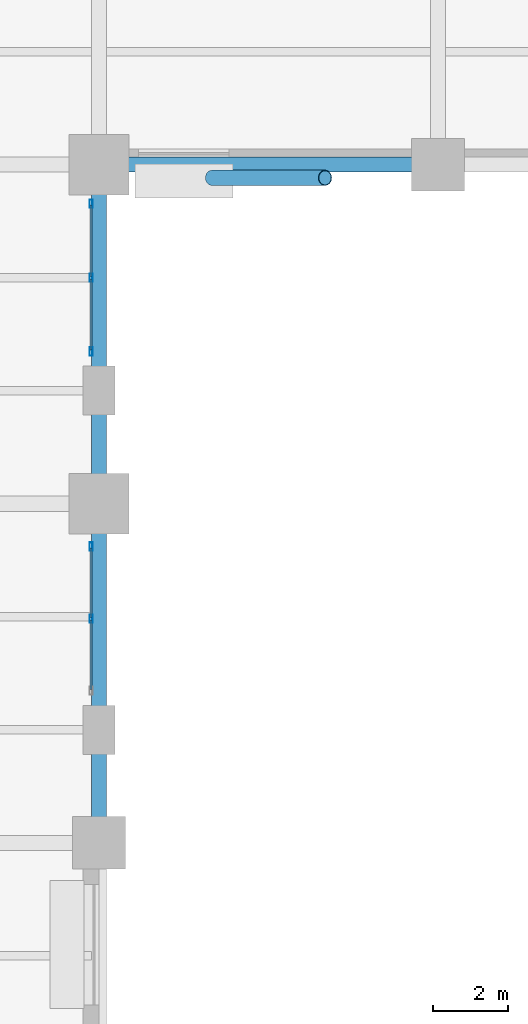
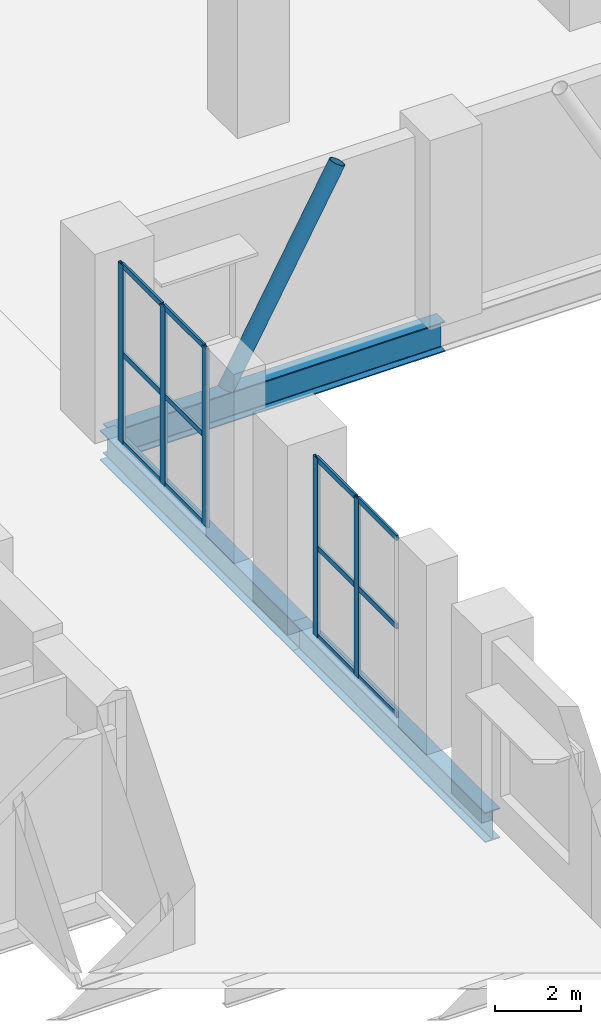
# One storey, part 8 of 20: 18 members, 3 beams, 2 elements without a shape of their own.
"""IFC4 building model written with IfcOpenShell, lengths in metres."""

from ifc_helpers import new_model, si_unit, direction, frame, origin, origin_2d, place, context, subcontext, project, spatial, hollow_rectangle, hollow_circle, i_section, extrude, material, layer, layer_set, material_profile, profile_set, type_object, element, aggregate, save


model = new_model("IFC4")

# Units and contexts
model_context = context("Model", 3, precision=1e-05, world=origin(), true_north=direction((0.0, 1.0)))
body_context = subcontext(model_context, "Body", "Model", "MODEL_VIEW")
ifc_project = project(units=[si_unit("LENGTHUNIT", "METRE"), si_unit("AREAUNIT", "SQUARE_METRE"), si_unit("VOLUMEUNIT", "CUBIC_METRE"), si_unit("PLANEANGLEUNIT", "RADIAN"), si_unit("MASSUNIT", "GRAM", prefix="KILO")], contexts=[model_context])

# Site, building, storey
site_placement = place(None, origin())
site = spatial("IfcSite", under=ifc_project, at=site_placement, CompositionType="ELEMENT")
building_placement = place(site_placement, origin())
building = spatial("IfcBuilding", under=site, at=building_placement, Name="Mawjdan Bourse Tower", CompositionType="ELEMENT")
storey_placement = place(building_placement, frame((0.0, 0.0, 5.39990234375)))
storey = spatial("IfcBuildingStorey", under=building, at=storey_placement, Name="L01", CompositionType="ELEMENT", Elevation=5.39990234375)

# Member
ifc_material_1 = material(Name="Structural Steel S460", Category="steel")
ifc_material_profile_1 = material_profile(ifc_material_1, hollow_circle(Radius=0.203125, WallThickness=0.01611328125, at=origin_2d()), Name="CHS406X16")
ifc_profile_set_1 = profile_set([ifc_material_profile_1], Name="Structural Steel S460")
member_type_1 = type_object("IfcMemberType", Name="ARC-CHS406X16", PredefinedType="USERDEFINED", material=ifc_profile_set_1)
member_1_placement = place(storey_placement, frame((36.0, 29.64990234375, 0.0), z_axis=(0.485632864501, 0.0, 0.874162868644), x_axis=(0.0, 1.0, 0.0)))
element("IfcMember", 1, at=member_1_placement, inside=storey, type_object=member_type_1, Name="L01 Giant Arch Structural Rib NORTH 3", ObjectType="ARCH RIB", PredefinedType="USERDEFINED", context=body_context, shape_type="SweptSolid", body=[
    extrude(hollow_circle(Radius=0.203125, WallThickness=0.01611328125, at=origin_2d()), origin(), (0.0, 0.0, 1.0), 6.177490234375),
])

# Beams
ifc_material_2 = material(Name="Structural Steel S355", Category="steel")
ifc_material_profile_2 = material_profile(ifc_material_2, i_section(OverallWidth=0.39892578125, OverallDepth=0.85595703125, WebThickness=0.018310546875, FlangeThickness=0.029296875, FilletRadius=0.0234375, at=origin_2d()), Name="W33X201")
ifc_profile_set_2 = profile_set([ifc_material_profile_2], Name="Structural Steel S355")
beam_type = type_object("IfcBeamType", Name="GRD-W33X201", PredefinedType="BEAM", material=ifc_profile_set_2)
for number, where, z_axis, x_axis, name in (
    (2, (33.0, 12.0, -0.727783203125), (0.0, 1.0, 0.0), (-1.0, 0.0, 0.0), "L01 Podium Primary Girder 020"),
    (3, (33.0, 21.0, -0.727783203125), (0.0, 1.0, 0.0), (-1.0, 0.0, 0.0), "L01 Podium Primary Girder 021"),
    (4, (33.0, 30.0, -0.727783203125), (1.0, 0.0, 0.0), (0.0, 1.0, 0.0), "L01 Podium Tie Girder 057"),
):
    element("IfcBeam", number, at=place(storey_placement, frame(where, z_axis=z_axis, x_axis=x_axis)), inside=storey, type_object=beam_type, Name=name, PredefinedType="BEAM", context=body_context, shape_type="SweptSolid", body=[
        extrude(i_section(OverallWidth=0.39892578125, OverallDepth=0.85595703125, WebThickness=0.018310546875, FlangeThickness=0.029296875, FilletRadius=0.0234375, at=origin_2d()), origin(), (0.0, 0.0, 1.0), 9.0),
    ])

# Curtain wall, members
ifc_material_3 = material(Name="Thermally Broken Aluminium and Solar Glass", Category="aluminium")
ifc_layer = layer(ifc_material_3, 0.219970703125)
ifc_layer_set = layer_set([ifc_layer], Name="Thermally Broken Aluminium and Solar Glass")
curtain_wall_type = type_object("IfcCurtainWallType", Name="CW-ARCH", PredefinedType="USERDEFINED", material=ifc_layer_set)
curtain_wall_1_placement = place(storey_placement, origin())
curtain_wall_1 = element("IfcCurtainWall", 5, at=curtain_wall_1_placement, inside=storey, type_object=curtain_wall_type, Name="L01 Giant Arch West Glazed Wall South", ObjectType="ARCHWAY GLAZED CURTAIN WALL", PredefinedType="USERDEFINED")
ifc_material_4 = material(Name="Thermally Broken Anodised Aluminium", Category="aluminium")
ifc_material_profile_3 = material_profile(ifc_material_4, hollow_rectangle(XDim=0.074951171875, YDim=0.219970703125, WallThickness=0.0048828125, at=origin_2d()), Name="ALU-MUL-220X75")
ifc_profile_set_3 = profile_set([ifc_material_profile_3], Name="Thermally Broken Anodised Aluminium")
member_type_2 = type_object("IfcMemberType", Name="MUL-ALU-MUL-220X75", PredefinedType="MULLION", material=ifc_profile_set_3)
member_2_placement = place(storey_placement, frame((32.7900390625, 19.862548828125, 0.0), z_axis=(0.0, 0.0, 1.0), x_axis=(1.0, 0.0, 0.0)))
member_2 = element("IfcMember", 6, at=member_2_placement, type_object=member_type_2, Name="CW-ARCH-L01-ARCH-W1 mullion 1", PredefinedType="MULLION", context=body_context, shape_type="SweptSolid", body=[
    extrude(hollow_rectangle(XDim=0.074951171875, YDim=0.219970703125, WallThickness=0.0048828125, at=origin_2d()), origin(), (0.0, 0.0, 1.0), 5.10009765625),
])
member_3_placement = place(storey_placement, frame((32.7900390625, 17.949951171875, 0.0), z_axis=(0.0, 0.0, 1.0), x_axis=(1.0, 0.0, 0.0)))
member_3 = element("IfcMember", 7, at=member_3_placement, type_object=member_type_2, Name="CW-ARCH-L01-ARCH-W1 mullion 2", PredefinedType="MULLION", context=body_context, shape_type="SweptSolid", body=[
    extrude(hollow_rectangle(XDim=0.074951171875, YDim=0.219970703125, WallThickness=0.0048828125, at=origin_2d()), origin(), (0.0, 0.0, 1.0), 5.10009765625),
])

curtain_wall_2_placement = place(storey_placement, origin())
curtain_wall_2 = element("IfcCurtainWall", 8, at=curtain_wall_2_placement, inside=storey, type_object=curtain_wall_type, Name="L01 Giant Arch West Glazed Wall North", ObjectType="ARCHWAY GLAZED CURTAIN WALL", PredefinedType="USERDEFINED")
member_4_placement = place(storey_placement, frame((32.7900390625, 28.96240234375, 0.0), z_axis=(0.0, 0.0, 1.0), x_axis=(1.0, 0.0, 0.0)))
member_4 = element("IfcMember", 9, at=member_4_placement, type_object=member_type_2, Name="CW-ARCH-L01-ARCH-W2 mullion 1", PredefinedType="MULLION", context=body_context, shape_type="SweptSolid", body=[
    extrude(hollow_rectangle(XDim=0.074951171875, YDim=0.219970703125, WallThickness=0.0048828125, at=origin_2d()), origin(), (0.0, 0.0, 1.0), 5.10009765625),
])
member_5_placement = place(storey_placement, frame((32.7900390625, 27.0, 0.0), z_axis=(0.0, 0.0, 1.0), x_axis=(1.0, 0.0, 0.0)))
member_5 = element("IfcMember", 10, at=member_5_placement, type_object=member_type_2, Name="CW-ARCH-L01-ARCH-W2 mullion 2", PredefinedType="MULLION", context=body_context, shape_type="SweptSolid", body=[
    extrude(hollow_rectangle(XDim=0.074951171875, YDim=0.219970703125, WallThickness=0.0048828125, at=origin_2d()), origin(), (0.0, 0.0, 1.0), 5.10009765625),
])
member_6_placement = place(storey_placement, frame((32.7900390625, 25.03759765625, 0.0), z_axis=(0.0, 0.0, 1.0), x_axis=(1.0, 0.0, 0.0)))
member_6 = element("IfcMember", 11, at=member_6_placement, type_object=member_type_2, Name="CW-ARCH-L01-ARCH-W2 mullion 3", PredefinedType="MULLION", context=body_context, shape_type="SweptSolid", body=[
    extrude(hollow_rectangle(XDim=0.074951171875, YDim=0.219970703125, WallThickness=0.0048828125, at=origin_2d()), origin(), (0.0, 0.0, 1.0), 5.10009765625),
])

# Member
ifc_material_profile_4 = material_profile(ifc_material_4, hollow_rectangle(XDim=0.06005859375, YDim=0.155029296875, WallThickness=0.00390625, at=origin_2d()), Name="ALU-TRN-155X60")
ifc_profile_set_4 = profile_set([ifc_material_profile_4], Name="Thermally Broken Anodised Aluminium")
member_type_3 = type_object("IfcMemberType", Name="TRN-ALU-TRN-155X60", PredefinedType="USERDEFINED", material=ifc_profile_set_4)
member_7_placement = place(storey_placement, frame((32.7900390625, 19.824951171875, 0.030029296875), z_axis=(0.0, -1.0, 0.0), x_axis=(1.0, 0.0, 0.0)))
member_7 = element("IfcMember", 12, at=member_7_placement, type_object=member_type_3, Name="CW-ARCH-L01-ARCH-W1 transom 1.1", ObjectType="TRANSOM", PredefinedType="USERDEFINED", context=body_context, shape_type="SweptSolid", body=[
    extrude(hollow_rectangle(XDim=0.06005859375, YDim=0.155029296875, WallThickness=0.00390625, at=origin_2d()), origin(), (0.0, 0.0, 1.0), 1.83740234375),
])

member_8_placement = place(storey_placement, frame((32.7900390625, 19.824951171875, 2.550048828125), z_axis=(0.0, -1.0, 0.0), x_axis=(1.0, 0.0, 0.0)))
member_8 = element("IfcMember", 13, at=member_8_placement, type_object=member_type_3, Name="CW-ARCH-L01-ARCH-W1 transom 1.2", ObjectType="TRANSOM", PredefinedType="USERDEFINED", context=body_context, shape_type="SweptSolid", body=[
    extrude(hollow_rectangle(XDim=0.06005859375, YDim=0.155029296875, WallThickness=0.00390625, at=origin_2d()), origin(), (0.0, 0.0, 1.0), 1.83740234375),
])

member_9_placement = place(storey_placement, frame((32.7900390625, 19.824951171875, 5.070068359375), z_axis=(0.0, -1.0, 0.0), x_axis=(1.0, 0.0, 0.0)))
member_9 = element("IfcMember", 14, at=member_9_placement, type_object=member_type_3, Name="CW-ARCH-L01-ARCH-W1 transom 1.3", ObjectType="TRANSOM", PredefinedType="USERDEFINED", context=body_context, shape_type="SweptSolid", body=[
    extrude(hollow_rectangle(XDim=0.06005859375, YDim=0.155029296875, WallThickness=0.00390625, at=origin_2d()), origin(), (0.0, 0.0, 1.0), 1.83740234375),
])

member_10_placement = place(storey_placement, frame((32.7900390625, 17.91259765625, 0.030029296875), z_axis=(0.0, -1.0, 0.0), x_axis=(1.0, 0.0, 0.0)))
member_10 = element("IfcMember", 15, at=member_10_placement, type_object=member_type_3, Name="CW-ARCH-L01-ARCH-W1 transom 2.1", ObjectType="TRANSOM", PredefinedType="USERDEFINED", context=body_context, shape_type="SweptSolid", body=[
    extrude(hollow_rectangle(XDim=0.06005859375, YDim=0.155029296875, WallThickness=0.00390625, at=origin_2d()), origin(), (0.0, 0.0, 1.0), 1.837646484375),
])

member_11_placement = place(storey_placement, frame((32.7900390625, 17.91259765625, 2.550048828125), z_axis=(0.0, -1.0, 0.0), x_axis=(1.0, 0.0, 0.0)))
member_11 = element("IfcMember", 16, at=member_11_placement, type_object=member_type_3, Name="CW-ARCH-L01-ARCH-W1 transom 2.2", ObjectType="TRANSOM", PredefinedType="USERDEFINED", context=body_context, shape_type="SweptSolid", body=[
    extrude(hollow_rectangle(XDim=0.06005859375, YDim=0.155029296875, WallThickness=0.00390625, at=origin_2d()), origin(), (0.0, 0.0, 1.0), 1.837646484375),
])

member_12_placement = place(storey_placement, frame((32.7900390625, 17.91259765625, 5.070068359375), z_axis=(0.0, -1.0, 0.0), x_axis=(1.0, 0.0, 0.0)))
member_12 = element("IfcMember", 17, at=member_12_placement, type_object=member_type_3, Name="CW-ARCH-L01-ARCH-W1 transom 2.3", ObjectType="TRANSOM", PredefinedType="USERDEFINED", context=body_context, shape_type="SweptSolid", body=[
    extrude(hollow_rectangle(XDim=0.06005859375, YDim=0.155029296875, WallThickness=0.00390625, at=origin_2d()), origin(), (0.0, 0.0, 1.0), 1.837646484375),
])

aggregate(curtain_wall_1, [member_2, member_3, member_7, member_8, member_9, member_10, member_11, member_12])

member_13_placement = place(storey_placement, frame((32.7900390625, 28.925048828125, 0.030029296875), z_axis=(0.0, -1.0, 0.0), x_axis=(1.0, 0.0, 0.0)))
member_13 = element("IfcMember", 18, at=member_13_placement, type_object=member_type_3, Name="CW-ARCH-L01-ARCH-W2 transom 1.1", ObjectType="TRANSOM", PredefinedType="USERDEFINED", context=body_context, shape_type="SweptSolid", body=[
    extrude(hollow_rectangle(XDim=0.06005859375, YDim=0.155029296875, WallThickness=0.00390625, at=origin_2d()), origin(), (0.0, 0.0, 1.0), 1.887451171875),
])

member_14_placement = place(storey_placement, frame((32.7900390625, 28.925048828125, 2.550048828125), z_axis=(0.0, -1.0, 0.0), x_axis=(1.0, 0.0, 0.0)))
member_14 = element("IfcMember", 19, at=member_14_placement, type_object=member_type_3, Name="CW-ARCH-L01-ARCH-W2 transom 1.2", ObjectType="TRANSOM", PredefinedType="USERDEFINED", context=body_context, shape_type="SweptSolid", body=[
    extrude(hollow_rectangle(XDim=0.06005859375, YDim=0.155029296875, WallThickness=0.00390625, at=origin_2d()), origin(), (0.0, 0.0, 1.0), 1.887451171875),
])

member_15_placement = place(storey_placement, frame((32.7900390625, 28.925048828125, 5.070068359375), z_axis=(0.0, -1.0, 0.0), x_axis=(1.0, 0.0, 0.0)))
member_15 = element("IfcMember", 20, at=member_15_placement, type_object=member_type_3, Name="CW-ARCH-L01-ARCH-W2 transom 1.3", ObjectType="TRANSOM", PredefinedType="USERDEFINED", context=body_context, shape_type="SweptSolid", body=[
    extrude(hollow_rectangle(XDim=0.06005859375, YDim=0.155029296875, WallThickness=0.00390625, at=origin_2d()), origin(), (0.0, 0.0, 1.0), 1.887451171875),
])

member_16_placement = place(storey_placement, frame((32.7900390625, 26.96240234375, 0.030029296875), z_axis=(0.0, -1.0, 0.0), x_axis=(1.0, 0.0, 0.0)))
member_16 = element("IfcMember", 21, at=member_16_placement, type_object=member_type_3, Name="CW-ARCH-L01-ARCH-W2 transom 2.1", ObjectType="TRANSOM", PredefinedType="USERDEFINED", context=body_context, shape_type="SweptSolid", body=[
    extrude(hollow_rectangle(XDim=0.06005859375, YDim=0.155029296875, WallThickness=0.00390625, at=origin_2d()), origin(), (0.0, 0.0, 1.0), 1.887451171875),
])

member_17_placement = place(storey_placement, frame((32.7900390625, 26.96240234375, 2.550048828125), z_axis=(0.0, -1.0, 0.0), x_axis=(1.0, 0.0, 0.0)))
member_17 = element("IfcMember", 22, at=member_17_placement, type_object=member_type_3, Name="CW-ARCH-L01-ARCH-W2 transom 2.2", ObjectType="TRANSOM", PredefinedType="USERDEFINED", context=body_context, shape_type="SweptSolid", body=[
    extrude(hollow_rectangle(XDim=0.06005859375, YDim=0.155029296875, WallThickness=0.00390625, at=origin_2d()), origin(), (0.0, 0.0, 1.0), 1.887451171875),
])

member_18_placement = place(storey_placement, frame((32.7900390625, 26.96240234375, 5.070068359375), z_axis=(0.0, -1.0, 0.0), x_axis=(1.0, 0.0, 0.0)))
member_18 = element("IfcMember", 23, at=member_18_placement, type_object=member_type_3, Name="CW-ARCH-L01-ARCH-W2 transom 2.3", ObjectType="TRANSOM", PredefinedType="USERDEFINED", context=body_context, shape_type="SweptSolid", body=[
    extrude(hollow_rectangle(XDim=0.06005859375, YDim=0.155029296875, WallThickness=0.00390625, at=origin_2d()), origin(), (0.0, 0.0, 1.0), 1.887451171875),
])

aggregate(curtain_wall_2, [member_4, member_5, member_6, member_13, member_14, member_15, member_16, member_17, member_18])

save(model, "model.ifc")
